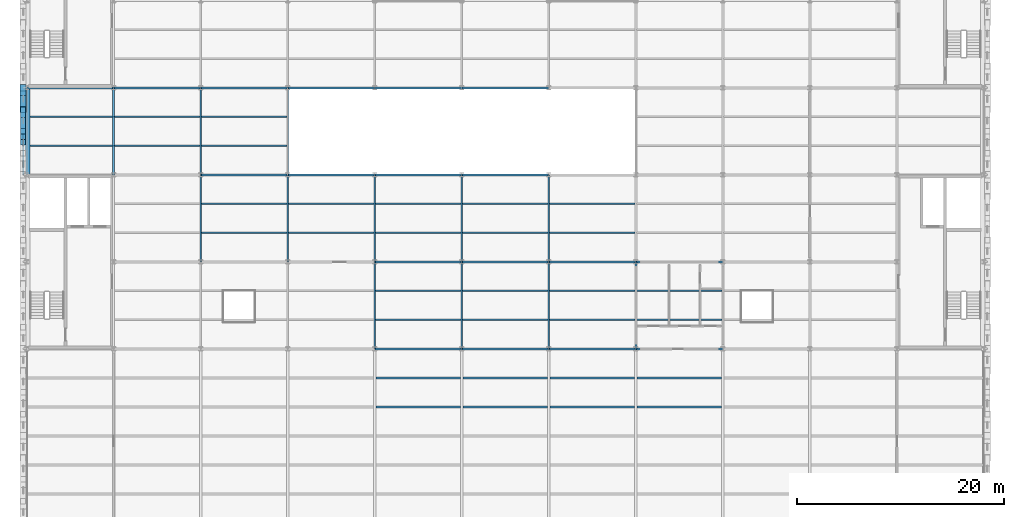
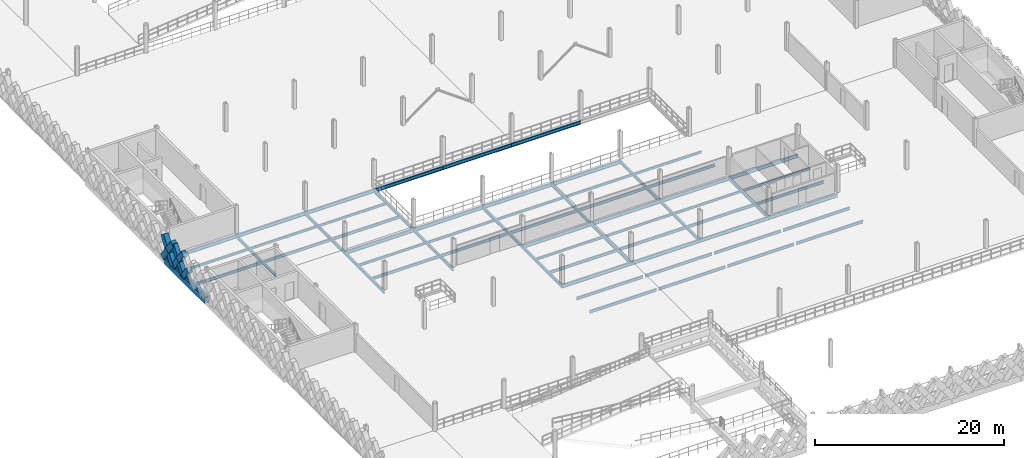
# One storey, part 22 of 79: 63 beams, 8 members.
"""IFC4 building model written with IfcOpenShell, lengths in metres."""

import ifcopenshell
import ifcopenshell.guid

model = None  # the IFC model being written
_history = None  # IfcOwnerHistory: only IFC2X3 demands one
_inside = {}  # id of a spatial element -> (the spatial element, [elements in it])
_under = {}  # id of a project, library or spatial element -> (it, [spatial elements below it])
_declared = {}  # id of a project -> (the project, [libraries it declares])
_typed = {}  # id of a type object -> (the type object, [elements of that type])
_made_of = {}  # id of a material, layer set ... -> (it, [elements and type objects made of it])


def new_model(schema):
    """Start an empty IFC model of exactly this schema.

    Asked for "IFC4X3", IfcOpenShell would pick the latest addendum, in which some entities
    have other attributes; the version numbers below select the first issue.
    IFC2X3 requires an IfcOwnerHistory on every rooted entity: one is made here for all.
    """
    global model, _history
    if schema == "IFC4X3":
        model = ifcopenshell.file(schema_version=(4, 3, 0, 0))
    else:
        model = ifcopenshell.file(schema=schema)
    _inside.clear()
    _under.clear()
    _declared.clear()
    _typed.clear()
    _made_of.clear()
    _history = None
    if model.schema == "IFC2X3":
        org = make("IfcOrganization", Name="unknown")
        user = make(
            "IfcPersonAndOrganization",
            ThePerson=make("IfcPerson", FamilyName="unknown"),
            TheOrganization=org,
        )
        app = make(
            "IfcApplication",
            ApplicationDeveloper=org,
            Version="unknown",
            ApplicationFullName="unknown",
            ApplicationIdentifier="unknown",
        )
        _history = make(
            "IfcOwnerHistory",
            OwningUser=user,
            OwningApplication=app,
            ChangeAction="ADDED",
            CreationDate=0,
        )
    return model


def make(cls, **values):
    """One entity of the class cls with the attributes given. An attribute that is None is left unset."""
    return model.create_entity(
        cls, **{name: value for name, value in values.items() if value is not None}
    )


def rooted(cls, **values):
    """An entity with a GlobalId (a new one), such as an element, a storey or a relation."""
    return make(cls, GlobalId=ifcopenshell.guid.new(), OwnerHistory=_history, **values)


def si_unit(unit_type, name, prefix=None):
    """IfcSIUnit, for example si_unit("LENGTHUNIT", "METRE", prefix="MILLI")."""
    return make("IfcSIUnit", UnitType=unit_type, Prefix=prefix, Name=name)


def assignment(units):
    """IfcUnitAssignment: the units of a project."""
    return None if units is None else make("IfcUnitAssignment", Units=units)


def point(xyz):
    """IfcCartesianPoint."""
    return None if xyz is None else make("IfcCartesianPoint", Coordinates=xyz)


def direction(xyz):
    """IfcDirection."""
    return None if xyz is None else make("IfcDirection", DirectionRatios=xyz)


def frame(location, z_axis=None, x_axis=None):
    """IfcAxis2Placement3D, a coordinate frame: its origin and axes. An axis left out is left unset."""
    return make(
        "IfcAxis2Placement3D",
        Location=point(location),
        Axis=direction(z_axis),
        RefDirection=direction(x_axis),
    )


def frame_2d(location, x_axis=None):
    """IfcAxis2Placement2D, a coordinate frame in the plane: its origin and x axis."""
    return make(
        "IfcAxis2Placement2D", Location=point(location), RefDirection=direction(x_axis)
    )


def origin():
    """The frame at (0, 0, 0) with its axes left unset."""
    return frame((0.0, 0.0, 0.0))


def origin_2d():
    """The frame at (0, 0) in the plane with its x axis left unset."""
    return frame_2d((0.0, 0.0))


def place(relative_to, where):
    """IfcLocalPlacement: puts the frame where relative to a parent placement (None: the world)."""
    return make(
        "IfcLocalPlacement", PlacementRelTo=relative_to, RelativePlacement=where
    )


def context(
    kind, dimensions, precision=None, world=None, true_north=None, identifier=None
):
    """IfcGeometricRepresentationContext, for example the 3D "Model" context."""
    return make(
        "IfcGeometricRepresentationContext",
        ContextIdentifier=identifier,
        ContextType=kind,
        CoordinateSpaceDimension=dimensions,
        Precision=precision,
        WorldCoordinateSystem=world,
        TrueNorth=true_north,
    )


def subcontext(parent, identifier, kind, view, scale=None):
    """IfcGeometricRepresentationSubContext, for example "Body" below "Model"."""
    return make(
        "IfcGeometricRepresentationSubContext",
        ContextIdentifier=identifier,
        ContextType=kind,
        ParentContext=parent,
        TargetScale=scale,
        TargetView=view,
    )


def project(units=None, contexts=None):
    """IfcProject with its units and contexts."""
    return rooted(
        "IfcProject",
        Name="project",
        RepresentationContexts=contexts,
        UnitsInContext=assignment(units),
    )


def spatial(cls, under=None, at=None, **own):
    """A site, building, storey or space (cls), placed at a placement, below another one or the project."""
    s = rooted(cls, ObjectPlacement=at, **own)
    if under is not None:
        _under.setdefault(under.id(), (under, []))[1].append(s)
    return s


def profile(cls, at=None, kind="AREA", **sizes):
    """A parametric profile (cls). Its sizes go by their IFC names, for example OverallWidth=200.0."""
    return make(cls, ProfileType=kind, Position=at, **sizes)


def rectangle(**sizes):
    """IfcRectangleProfileDef."""
    return profile("IfcRectangleProfileDef", **sizes)


def hollow_rectangle(**sizes):
    """IfcRectangleHollowProfileDef."""
    return profile("IfcRectangleHollowProfileDef", **sizes)


def i_section(**sizes):
    """IfcIShapeProfileDef."""
    return profile("IfcIShapeProfileDef", **sizes)


def extrude(swept, where, along, depth):
    """IfcExtrudedAreaSolid: the profile swept, set in the frame where, extruded along a direction by depth."""
    return make(
        "IfcExtrudedAreaSolid",
        SweptArea=swept,
        Position=where,
        ExtrudedDirection=direction(along),
        Depth=depth,
    )


def shape(context_of_items, identifier, shape_type, items):
    """IfcShapeRepresentation: the items that make up one representation, for example the "Body"."""
    return make(
        "IfcShapeRepresentation",
        ContextOfItems=context_of_items,
        RepresentationIdentifier=identifier,
        RepresentationType=shape_type,
        Items=items,
    )


def material(Name=None, Category=None):
    """IfcMaterial."""
    return make("IfcMaterial", Name=Name, Category=Category)


def material_profile(
    of_material, cross_section, Name=None, Category=None, Priority=None
):
    """IfcMaterialProfile: a cross section and its material."""
    return make(
        "IfcMaterialProfile",
        Name=Name,
        Material=of_material,
        Profile=cross_section,
        Priority=Priority,
        Category=Category,
    )


def profile_set(profiles, Name=None, composite=None):
    """IfcMaterialProfileSet."""
    return make(
        "IfcMaterialProfileSet",
        Name=Name,
        MaterialProfiles=profiles,
        CompositeProfile=composite,
    )


def made_of(thing, what):
    """Note that an element or type object is made of a material, layer set ...; save() writes the relation."""
    if what is not None:
        _made_of.setdefault(what.id(), (what, []))[1].append(thing)
    return thing


def type_object(cls, material=None, **own):
    """A type object (cls), such as IfcWallType, which elements share."""
    return made_of(rooted(cls, **own), material)


def element(
    cls,
    number,
    at=None,
    inside=None,
    cuts=None,
    type_object=None,
    material=None,
    context=None,
    identifier="Body",
    shape_type=None,
    held_by="IfcProductDefinitionShape",
    body=None,
    shapes=None,
    **own,
):
    """One element of the class cls, such as IfcWall. Its Tag is "e" and its number.

    at: its placement. inside: the storey or other place that contains it. cuts: it is an
    opening in that element (IfcRelVoidsElement). A single representation is given by context,
    identifier, shape_type and body (its items); several are given by shapes. held_by: the class
    of the entity that holds the representations. save() writes the other relations.
    """
    e = rooted(cls, Tag="e%d" % number, ObjectPlacement=at, **own)
    if body is not None:
        shapes = [shape(context, identifier, shape_type, body)]
    if shapes is not None:
        e.Representation = make(held_by, Representations=shapes)
    if inside is not None:
        _inside.setdefault(inside.id(), (inside, []))[1].append(e)
    if cuts is not None:
        rooted(
            "IfcRelVoidsElement", RelatingBuildingElement=cuts, RelatedOpeningElement=e
        )
    if type_object is not None:
        _typed.setdefault(type_object.id(), (type_object, []))[1].append(e)
    return made_of(e, material)


def aggregate(whole, parts):
    """IfcRelAggregates: a whole, such as a stair, and the parts it consists of."""
    return rooted("IfcRelAggregates", RelatingObject=whole, RelatedObjects=parts)


def save(model, path):
    """Write the relations noted so far, then the file.

    IfcRelAggregates (storeys below a building ...), IfcRelContainedInSpatialStructure (elements
    in a storey), IfcRelDefinesByType, IfcRelAssociatesMaterial and IfcRelDeclares: one each for
    every whole, place, type object, material and project.
    """
    for whole, parts in _under.values():
        aggregate(whole, parts)
    for where, things in _inside.values():
        rooted(
            "IfcRelContainedInSpatialStructure",
            RelatedElements=things,
            RelatingStructure=where,
        )
    for kind, things in _typed.values():
        rooted("IfcRelDefinesByType", RelatedObjects=things, RelatingType=kind)
    for what, things in _made_of.values():
        rooted("IfcRelAssociatesMaterial", RelatedObjects=things, RelatingMaterial=what)
    for by, libraries in _declared.values():
        rooted("IfcRelDeclares", RelatingContext=by, RelatedDefinitions=libraries)
    model.write(path)


model = new_model("IFC4")

# Units and contexts
model_context = context("Model", 3, precision=1e-05, world=origin(), true_north=direction((0.0, 1.0)))
body_context = subcontext(model_context, "Body", "Model", "MODEL_VIEW")
ifc_project = project(units=[si_unit("LENGTHUNIT", "METRE"), si_unit("AREAUNIT", "SQUARE_METRE"), si_unit("VOLUMEUNIT", "CUBIC_METRE"), si_unit("PLANEANGLEUNIT", "RADIAN"), si_unit("MASSUNIT", "GRAM", prefix="KILO"), si_unit("THERMODYNAMICTEMPERATUREUNIT", "KELVIN"), si_unit("POWERUNIT", "WATT")], contexts=[model_context])

# Site, building, storey
site_placement = place(None, origin())
site = spatial("IfcSite", under=ifc_project, at=site_placement, CompositionType="ELEMENT")
building_placement = place(site_placement, origin())
building = spatial("IfcBuilding", under=site, at=building_placement, Name="Tembeka Court Mobility Hub", CompositionType="ELEMENT")
storey_placement = place(building_placement, frame((0.0, 0.0, 9.0)))
storey = spatial("IfcBuildingStorey", under=building, at=storey_placement, Name="L02", CompositionType="ELEMENT", Elevation=9.0)

# Beams
ifc_material_1 = material(Name="Steel S355", Category="steel")
ifc_material_profile_1 = material_profile(ifc_material_1, i_section(OverallWidth=0.18994140625, OverallDepth=0.45703125, WebThickness=0.009033203125, FlangeThickness=0.014404296875, FilletRadius=0.01025390625, at=origin_2d()), Name="UKB 457x191x74")
ifc_profile_set_1 = profile_set([ifc_material_profile_1], Name="Steel S355")
beam_type_1 = type_object("IfcBeamType", Name="BM-B01", PredefinedType="BEAM", material=ifc_profile_set_1)
for number, where, z_axis, x_axis, name in (
    (1, (33.60009765625, 38.39990234375, -0.448486328125), (1.0, 0.0, 0.0), (0.0, 1.0, 0.0), "Beam B01 (BM-L02-X1213)"),
    (2, (42.0, 38.39990234375, -0.448486328125), (1.0, 0.0, 0.0), (0.0, 1.0, 0.0), "Beam B01 (BM-L02-X1214)"),
):
    element("IfcBeam", number, at=place(storey_placement, frame(where, z_axis=z_axis, x_axis=x_axis)), inside=storey, type_object=beam_type_1, Name=name, PredefinedType="BEAM", context=body_context, shape_type="SweptSolid", body=[
        extrude(i_section(OverallWidth=0.18994140625, OverallDepth=0.45703125, WebThickness=0.009033203125, FlangeThickness=0.014404296875, FilletRadius=0.01025390625, at=origin_2d()), origin(), (0.0, 0.0, 1.0), 8.39990234375),
    ])
beam_1_placement = place(storey_placement, frame((50.39990234375, 38.39990234375, -0.448486328125), z_axis=(1.0, 0.0, 0.0), x_axis=(0.0, 1.0, 0.0)))
element("IfcBeam", 3, at=beam_1_placement, inside=storey, type_object=beam_type_1, Name="Beam B01 (BM-L02-X1215)", PredefinedType="BEAM", context=body_context, shape_type="SweptSolid", body=[
    extrude(i_section(OverallWidth=0.18994140625, OverallDepth=0.45703125, WebThickness=0.009033203125, FlangeThickness=0.014404296875, FilletRadius=0.01025390625, at=origin_2d()), origin(), (0.0, 0.0, 1.0), 8.400146484375),
])
for number, where, z_axis, x_axis, name in (
    (4, (58.800048828125, 38.39990234375, -0.448486328125), (1.0, 0.0, 0.0), (0.0, 1.0, 0.0), "Beam B01 (BM-L02-X1216)"),
    (5, (33.60009765625, 46.800048828125, -0.448486328125), (1.0, 0.0, 0.0), (0.0, 1.0, 0.0), "Beam B01 (BM-L02-X1228)"),
    (6, (42.0, 46.800048828125, -0.448486328125), (1.0, 0.0, 0.0), (0.0, 1.0, 0.0), "Beam B01 (BM-L02-X1229)"),
):
    element("IfcBeam", number, at=place(storey_placement, frame(where, z_axis=z_axis, x_axis=x_axis)), inside=storey, type_object=beam_type_1, Name=name, PredefinedType="BEAM", context=body_context, shape_type="SweptSolid", body=[
        extrude(i_section(OverallWidth=0.18994140625, OverallDepth=0.45703125, WebThickness=0.009033203125, FlangeThickness=0.014404296875, FilletRadius=0.01025390625, at=origin_2d()), origin(), (0.0, 0.0, 1.0), 8.39990234375),
    ])
beam_2_placement = place(storey_placement, frame((50.39990234375, 46.800048828125, -0.448486328125), z_axis=(1.0, 0.0, 0.0), x_axis=(0.0, 1.0, 0.0)))
element("IfcBeam", 7, at=beam_2_placement, inside=storey, type_object=beam_type_1, Name="Beam B01 (BM-L02-X1230)", PredefinedType="BEAM", context=body_context, shape_type="SweptSolid", body=[
    extrude(i_section(OverallWidth=0.18994140625, OverallDepth=0.45703125, WebThickness=0.009033203125, FlangeThickness=0.014404296875, FilletRadius=0.01025390625, at=origin_2d()), origin(), (0.0, 0.0, 1.0), 8.400146484375),
])
for number, where, z_axis, x_axis, name in (
    (8, (58.800048828125, 46.800048828125, -0.448486328125), (1.0, 0.0, 0.0), (0.0, 1.0, 0.0), "Beam B01 (BM-L02-X1231)"),
    (9, (16.800048828125, 55.199951171875, -0.448486328125), (1.0, 0.0, 0.0), (0.0, 1.0, 0.0), "Beam B01 (BM-L02-X1241)"),
):
    element("IfcBeam", number, at=place(storey_placement, frame(where, z_axis=z_axis, x_axis=x_axis)), inside=storey, type_object=beam_type_1, Name=name, PredefinedType="BEAM", context=body_context, shape_type="SweptSolid", body=[
        extrude(i_section(OverallWidth=0.18994140625, OverallDepth=0.45703125, WebThickness=0.009033203125, FlangeThickness=0.014404296875, FilletRadius=0.01025390625, at=origin_2d()), origin(), (0.0, 0.0, 1.0), 8.39990234375),
    ])
beam_3_placement = place(storey_placement, frame((25.199951171875, 55.199951171875, -0.448486328125), z_axis=(1.0, 0.0, 0.0), x_axis=(0.0, 1.0, 0.0)))
element("IfcBeam", 10, at=beam_3_placement, inside=storey, type_object=beam_type_1, Name="Beam B01 (BM-L02-X1242)", PredefinedType="BEAM", context=body_context, shape_type="SweptSolid", body=[
    extrude(i_section(OverallWidth=0.18994140625, OverallDepth=0.45703125, WebThickness=0.009033203125, FlangeThickness=0.014404296875, FilletRadius=0.01025390625, at=origin_2d()), origin(), (0.0, 0.0, 1.0), 8.400146484375),
])
for number, where, z_axis, x_axis, name in (
    (11, (33.60009765625, 55.199951171875, -0.448486328125), (1.0, 0.0, 0.0), (0.0, 1.0, 0.0), "Beam B01 (BM-L02-X1243)"),
    (12, (42.0, 55.199951171875, -0.448486328125), (1.0, 0.0, 0.0), (0.0, 1.0, 0.0), "Beam B01 (BM-L02-X1244)"),
    (13, (0.0, 63.60009765625, -0.448486328125), (1.0, 0.0, 0.0), (0.0, 1.0, 0.0), "Beam B01 (BM-L02-X1251)"),
):
    element("IfcBeam", number, at=place(storey_placement, frame(where, z_axis=z_axis, x_axis=x_axis)), inside=storey, type_object=beam_type_1, Name=name, PredefinedType="BEAM", context=body_context, shape_type="SweptSolid", body=[
        extrude(i_section(OverallWidth=0.18994140625, OverallDepth=0.45703125, WebThickness=0.009033203125, FlangeThickness=0.014404296875, FilletRadius=0.01025390625, at=origin_2d()), origin(), (0.0, 0.0, 1.0), 8.39990234375),
    ])
beam_4_placement = place(storey_placement, frame((8.39990234375, 63.60009765625, -0.448486328125), z_axis=(1.0, 0.0, 0.0), x_axis=(0.0, 1.0, 0.0)))
element("IfcBeam", 14, at=beam_4_placement, inside=storey, type_object=beam_type_1, Name="Beam B01 (BM-L02-X1252)", PredefinedType="BEAM", context=body_context, shape_type="SweptSolid", body=[
    extrude(i_section(OverallWidth=0.18994140625, OverallDepth=0.45703125, WebThickness=0.009033203125, FlangeThickness=0.014404296875, FilletRadius=0.01025390625, at=origin_2d()), origin(), (0.0, 0.0, 1.0), 8.400146484375),
])
beam_5_placement = place(storey_placement, frame((16.800048828125, 63.60009765625, -0.448486328125), z_axis=(1.0, 0.0, 0.0), x_axis=(0.0, 1.0, 0.0)))
element("IfcBeam", 15, at=beam_5_placement, inside=storey, type_object=beam_type_1, Name="Beam B01 (BM-L02-X1253)", PredefinedType="BEAM", context=body_context, shape_type="SweptSolid", body=[
    extrude(i_section(OverallWidth=0.18994140625, OverallDepth=0.45703125, WebThickness=0.009033203125, FlangeThickness=0.014404296875, FilletRadius=0.01025390625, at=origin_2d()), origin(), (0.0, 0.0, 1.0), 8.39990234375),
])
beam_6_placement = place(storey_placement, frame((25.199951171875, 63.60009765625, -0.448486328125), z_axis=(1.0, 0.0, 0.0), x_axis=(0.0, 1.0, 0.0)))
element("IfcBeam", 16, at=beam_6_placement, inside=storey, type_object=beam_type_1, Name="Beam B01 (BM-L02-X1254)", PredefinedType="BEAM", context=body_context, shape_type="SweptSolid", body=[
    extrude(i_section(OverallWidth=0.18994140625, OverallDepth=0.45703125, WebThickness=0.009033203125, FlangeThickness=0.014404296875, FilletRadius=0.01025390625, at=origin_2d()), origin(), (0.0, 0.0, 1.0), 8.400146484375),
])
for number, where, z_axis, x_axis, name in (
    (17, (33.60009765625, 63.60009765625, -0.448486328125), (1.0, 0.0, 0.0), (0.0, 1.0, 0.0), "Beam B01 (BM-L02-X1255)"),
    (18, (42.0, 63.60009765625, -0.448486328125), (1.0, 0.0, 0.0), (0.0, 1.0, 0.0), "Beam B01 (BM-L02-X1256)"),
):
    element("IfcBeam", number, at=place(storey_placement, frame(where, z_axis=z_axis, x_axis=x_axis)), inside=storey, type_object=beam_type_1, Name=name, PredefinedType="BEAM", context=body_context, shape_type="SweptSolid", body=[
        extrude(i_section(OverallWidth=0.18994140625, OverallDepth=0.45703125, WebThickness=0.009033203125, FlangeThickness=0.014404296875, FilletRadius=0.01025390625, at=origin_2d()), origin(), (0.0, 0.0, 1.0), 8.39990234375),
    ])
ifc_material_profile_2 = material_profile(ifc_material_1, i_section(OverallWidth=0.177978515625, OverallDepth=0.406005859375, WebThickness=0.0078125, FlangeThickness=0.0126953125, FilletRadius=0.01025390625, at=origin_2d()), Name="UKB 406x178x60")
ifc_profile_set_2 = profile_set([ifc_material_profile_2], Name="Steel S355")
beam_type_2 = type_object("IfcBeamType", Name="BM-B02", PredefinedType="BEAM", material=ifc_profile_set_2)
beam_7_placement = place(storey_placement, frame((8.39990234375, 55.199951171875, -0.423095703125), z_axis=(0.0, 1.0, 0.0), x_axis=(-1.0, 0.0, 0.0)))
element("IfcBeam", 19, at=beam_7_placement, inside=storey, type_object=beam_type_2, Name="Beam B02 (BM-L02-Y1323)", PredefinedType="BEAM", context=body_context, shape_type="SweptSolid", body=[
    extrude(i_section(OverallWidth=0.177978515625, OverallDepth=0.406005859375, WebThickness=0.0078125, FlangeThickness=0.0126953125, FilletRadius=0.01025390625, at=origin_2d()), origin(), (0.0, 0.0, 1.0), 8.400146484375),
])
beam_8_placement = place(storey_placement, frame((16.800048828125, 46.800048828125, -0.423095703125), z_axis=(0.0, 1.0, 0.0), x_axis=(-1.0, 0.0, 0.0)))
element("IfcBeam", 20, at=beam_8_placement, inside=storey, type_object=beam_type_2, Name="Beam B02 (BM-L02-Y1333)", PredefinedType="BEAM", context=body_context, shape_type="SweptSolid", body=[
    extrude(i_section(OverallWidth=0.177978515625, OverallDepth=0.406005859375, WebThickness=0.0078125, FlangeThickness=0.0126953125, FilletRadius=0.01025390625, at=origin_2d()), origin(), (0.0, 0.0, 1.0), 8.39990234375),
])
beam_9_placement = place(storey_placement, frame((16.800048828125, 55.199951171875, -0.423095703125), z_axis=(0.0, 1.0, 0.0), x_axis=(-1.0, 0.0, 0.0)))
element("IfcBeam", 21, at=beam_9_placement, inside=storey, type_object=beam_type_2, Name="Beam B02 (BM-L02-Y1334)", PredefinedType="BEAM", context=body_context, shape_type="SweptSolid", body=[
    extrude(i_section(OverallWidth=0.177978515625, OverallDepth=0.406005859375, WebThickness=0.0078125, FlangeThickness=0.0126953125, FilletRadius=0.01025390625, at=origin_2d()), origin(), (0.0, 0.0, 1.0), 8.400146484375),
])
beam_10_placement = place(storey_placement, frame((25.199951171875, 46.800048828125, -0.423095703125), z_axis=(0.0, 1.0, 0.0), x_axis=(-1.0, 0.0, 0.0)))
element("IfcBeam", 22, at=beam_10_placement, inside=storey, type_object=beam_type_2, Name="Beam B02 (BM-L02-Y1342)", PredefinedType="BEAM", context=body_context, shape_type="SweptSolid", body=[
    extrude(i_section(OverallWidth=0.177978515625, OverallDepth=0.406005859375, WebThickness=0.0078125, FlangeThickness=0.0126953125, FilletRadius=0.01025390625, at=origin_2d()), origin(), (0.0, 0.0, 1.0), 8.39990234375),
])
for number, where, z_axis, x_axis, name in (
    (23, (25.199951171875, 55.199951171875, -0.423095703125), (0.0, 1.0, 0.0), (-1.0, 0.0, 0.0), "Beam B02 (BM-L02-Y1343)"),
    (24, (33.60009765625, 38.39990234375, -0.423095703125), (0.0, 1.0, 0.0), (-1.0, 0.0, 0.0), "Beam B02 (BM-L02-Y1348)"),
):
    element("IfcBeam", number, at=place(storey_placement, frame(where, z_axis=z_axis, x_axis=x_axis)), inside=storey, type_object=beam_type_2, Name=name, PredefinedType="BEAM", context=body_context, shape_type="SweptSolid", body=[
        extrude(i_section(OverallWidth=0.177978515625, OverallDepth=0.406005859375, WebThickness=0.0078125, FlangeThickness=0.0126953125, FilletRadius=0.01025390625, at=origin_2d()), origin(), (0.0, 0.0, 1.0), 8.400146484375),
    ])
beam_11_placement = place(storey_placement, frame((33.60009765625, 46.800048828125, -0.423095703125), z_axis=(0.0, 1.0, 0.0), x_axis=(-1.0, 0.0, 0.0)))
element("IfcBeam", 25, at=beam_11_placement, inside=storey, type_object=beam_type_2, Name="Beam B02 (BM-L02-Y1349)", PredefinedType="BEAM", context=body_context, shape_type="SweptSolid", body=[
    extrude(i_section(OverallWidth=0.177978515625, OverallDepth=0.406005859375, WebThickness=0.0078125, FlangeThickness=0.0126953125, FilletRadius=0.01025390625, at=origin_2d()), origin(), (0.0, 0.0, 1.0), 8.39990234375),
])
beam_12_placement = place(storey_placement, frame((42.0, 38.39990234375, -0.423095703125), z_axis=(0.0, 1.0, 0.0), x_axis=(-1.0, 0.0, 0.0)))
element("IfcBeam", 26, at=beam_12_placement, inside=storey, type_object=beam_type_2, Name="Beam B02 (BM-L02-Y1356)", PredefinedType="BEAM", context=body_context, shape_type="SweptSolid", body=[
    extrude(i_section(OverallWidth=0.177978515625, OverallDepth=0.406005859375, WebThickness=0.0078125, FlangeThickness=0.0126953125, FilletRadius=0.01025390625, at=origin_2d()), origin(), (0.0, 0.0, 1.0), 8.400146484375),
])
beam_13_placement = place(storey_placement, frame((42.0, 46.800048828125, -0.423095703125), z_axis=(0.0, 1.0, 0.0), x_axis=(-1.0, 0.0, 0.0)))
element("IfcBeam", 27, at=beam_13_placement, inside=storey, type_object=beam_type_2, Name="Beam B02 (BM-L02-Y1357)", PredefinedType="BEAM", context=body_context, shape_type="SweptSolid", body=[
    extrude(i_section(OverallWidth=0.177978515625, OverallDepth=0.406005859375, WebThickness=0.0078125, FlangeThickness=0.0126953125, FilletRadius=0.01025390625, at=origin_2d()), origin(), (0.0, 0.0, 1.0), 8.39990234375),
])
beam_14_placement = place(storey_placement, frame((50.39990234375, 38.39990234375, -0.423095703125), z_axis=(0.0, 1.0, 0.0), x_axis=(-1.0, 0.0, 0.0)))
element("IfcBeam", 28, at=beam_14_placement, inside=storey, type_object=beam_type_2, Name="Beam B02 (BM-L02-Y1364)", PredefinedType="BEAM", context=body_context, shape_type="SweptSolid", body=[
    extrude(i_section(OverallWidth=0.177978515625, OverallDepth=0.406005859375, WebThickness=0.0078125, FlangeThickness=0.0126953125, FilletRadius=0.01025390625, at=origin_2d()), origin(), (0.0, 0.0, 1.0), 8.400146484375),
])
beam_15_placement = place(storey_placement, frame((50.39990234375, 46.800048828125, -0.423095703125), z_axis=(0.0, 1.0, 0.0), x_axis=(-1.0, 0.0, 0.0)))
element("IfcBeam", 29, at=beam_15_placement, inside=storey, type_object=beam_type_2, Name="Beam B02 (BM-L02-Y1365)", PredefinedType="BEAM", context=body_context, shape_type="SweptSolid", body=[
    extrude(i_section(OverallWidth=0.177978515625, OverallDepth=0.406005859375, WebThickness=0.0078125, FlangeThickness=0.0126953125, FilletRadius=0.01025390625, at=origin_2d()), origin(), (0.0, 0.0, 1.0), 8.39990234375),
])
beam_16_placement = place(storey_placement, frame((58.800048828125, 38.39990234375, -0.423095703125), z_axis=(0.0, 1.0, 0.0), x_axis=(-1.0, 0.0, 0.0)))
element("IfcBeam", 30, at=beam_16_placement, inside=storey, type_object=beam_type_2, Name="Beam B02 (BM-L02-Y1370)", PredefinedType="BEAM", context=body_context, shape_type="SweptSolid", body=[
    extrude(i_section(OverallWidth=0.177978515625, OverallDepth=0.406005859375, WebThickness=0.0078125, FlangeThickness=0.0126953125, FilletRadius=0.01025390625, at=origin_2d()), origin(), (0.0, 0.0, 1.0), 8.400146484375),
])
ifc_material_profile_3 = material_profile(ifc_material_1, i_section(OverallWidth=0.172119140625, OverallDepth=0.35498046875, WebThickness=0.00732421875, FlangeThickness=0.011474609375, FilletRadius=0.01025390625, at=origin_2d()), Name="UKB 356x171x51")
ifc_profile_set_3 = profile_set([ifc_material_profile_3], Name="Steel S355")
beam_type_3 = type_object("IfcBeamType", Name="BM-J01", PredefinedType="JOIST", material=ifc_profile_set_3)
for number, where, z_axis, x_axis, name in (
    (31, (33.721923828125, 32.800048828125, -0.3974609375), (1.0, 0.0, 0.0), (0.0, 1.0, 0.0), "Beam J01 (JST-L02-1512)"),
    (32, (33.721923828125, 35.60009765625, -0.3974609375), (1.0, 0.0, 0.0), (0.0, 1.0, 0.0), "Beam J01 (JST-L02-1513)"),
    (33, (42.1220703125, 32.800048828125, -0.3974609375), (1.0, 0.0, 0.0), (0.0, 1.0, 0.0), "Beam J01 (JST-L02-1530)"),
    (34, (42.1220703125, 35.60009765625, -0.3974609375), (1.0, 0.0, 0.0), (0.0, 1.0, 0.0), "Beam J01 (JST-L02-1531)"),
    (35, (50.52197265625, 32.800048828125, -0.3974609375), (1.0, 0.0, 0.0), (0.0, 1.0, 0.0), "Beam J01 (JST-L02-1548)"),
    (36, (50.52197265625, 35.60009765625, -0.3974609375), (1.0, 0.0, 0.0), (0.0, 1.0, 0.0), "Beam J01 (JST-L02-1549)"),
):
    element("IfcBeam", number, at=place(storey_placement, frame(where, z_axis=z_axis, x_axis=x_axis)), inside=storey, type_object=beam_type_3, Name=name, PredefinedType="JOIST", context=body_context, shape_type="SweptSolid", body=[
        extrude(i_section(OverallWidth=0.172119140625, OverallDepth=0.35498046875, WebThickness=0.00732421875, FlangeThickness=0.011474609375, FilletRadius=0.01025390625, at=origin_2d()), origin(), (0.0, 0.0, 1.0), 8.156005859375),
    ])
for number, where, z_axis, x_axis, name in (
    (37, (58.922119140625, 32.800048828125, -0.3974609375), (1.0, 0.0, 0.0), (0.0, 1.0, 0.0), "Beam J01 (JST-L02-1566)"),
    (38, (58.922119140625, 35.60009765625, -0.3974609375), (1.0, 0.0, 0.0), (0.0, 1.0, 0.0), "Beam J01 (JST-L02-1567)"),
):
    element("IfcBeam", number, at=place(storey_placement, frame(where, z_axis=z_axis, x_axis=x_axis)), inside=storey, type_object=beam_type_3, Name=name, PredefinedType="JOIST", context=body_context, shape_type="SweptSolid", body=[
        extrude(i_section(OverallWidth=0.172119140625, OverallDepth=0.35498046875, WebThickness=0.00732421875, FlangeThickness=0.011474609375, FilletRadius=0.01025390625, at=origin_2d()), origin(), (0.0, 0.0, 1.0), 8.15576171875),
    ])
ifc_material_profile_4 = material_profile(ifc_material_1, i_section(OverallWidth=0.1650390625, OverallDepth=0.303955078125, WebThickness=0.006103515625, FlangeThickness=0.01025390625, FilletRadius=0.0087890625, at=origin_2d()), Name="UKB 305x165x40")
ifc_profile_set_4 = profile_set([ifc_material_profile_4], Name="Steel S355")
beam_type_4 = type_object("IfcBeamType", Name="BM-J02", PredefinedType="JOIST", material=ifc_profile_set_4)
beam_17_placement = place(storey_placement, frame((0.320068359375, 60.800048828125, -0.3720703125), z_axis=(1.0, 0.0, 0.0), x_axis=(0.0, 1.0, 0.0)))
element("IfcBeam", 39, at=beam_17_placement, inside=storey, type_object=beam_type_4, Name="Beam J02 (JST-L02-1445)", PredefinedType="JOIST", context=body_context, shape_type="SweptSolid", body=[
    extrude(i_section(OverallWidth=0.1650390625, OverallDepth=0.303955078125, WebThickness=0.006103515625, FlangeThickness=0.01025390625, FilletRadius=0.0087890625, at=origin_2d()), origin(), (0.0, 0.0, 1.0), 7.995849609375),
])
beam_18_placement = place(storey_placement, frame((8.48388671875, 60.800048828125, -0.3720703125), z_axis=(1.0, 0.0, 0.0), x_axis=(0.0, 1.0, 0.0)))
element("IfcBeam", 40, at=beam_18_placement, inside=storey, type_object=beam_type_4, Name="Beam J02 (JST-L02-1461)", PredefinedType="JOIST", context=body_context, shape_type="SweptSolid", body=[
    extrude(i_section(OverallWidth=0.1650390625, OverallDepth=0.303955078125, WebThickness=0.006103515625, FlangeThickness=0.01025390625, FilletRadius=0.0087890625, at=origin_2d()), origin(), (0.0, 0.0, 1.0), 8.232177734375),
])
for number, where, z_axis, x_axis, name in (
    (41, (16.884033203125, 52.39990234375, -0.3720703125), (1.0, 0.0, 0.0), (0.0, 1.0, 0.0), "Beam J02 (JST-L02-1479)"),
    (42, (16.884033203125, 60.800048828125, -0.3720703125), (1.0, 0.0, 0.0), (0.0, 1.0, 0.0), "Beam J02 (JST-L02-1481)"),
):
    element("IfcBeam", number, at=place(storey_placement, frame(where, z_axis=z_axis, x_axis=x_axis)), inside=storey, type_object=beam_type_4, Name=name, PredefinedType="JOIST", context=body_context, shape_type="SweptSolid", body=[
        extrude(i_section(OverallWidth=0.1650390625, OverallDepth=0.303955078125, WebThickness=0.006103515625, FlangeThickness=0.01025390625, FilletRadius=0.0087890625, at=origin_2d()), origin(), (0.0, 0.0, 1.0), 8.23193359375),
    ])
beam_19_placement = place(storey_placement, frame((25.283935546875, 52.39990234375, -0.3720703125), z_axis=(1.0, 0.0, 0.0), x_axis=(0.0, 1.0, 0.0)))
element("IfcBeam", 43, at=beam_19_placement, inside=storey, type_object=beam_type_4, Name="Beam J02 (JST-L02-1499)", PredefinedType="JOIST", context=body_context, shape_type="SweptSolid", body=[
    extrude(i_section(OverallWidth=0.1650390625, OverallDepth=0.303955078125, WebThickness=0.006103515625, FlangeThickness=0.01025390625, FilletRadius=0.0087890625, at=origin_2d()), origin(), (0.0, 0.0, 1.0), 8.232177734375),
])
for number, where, z_axis, x_axis, name in (
    (44, (33.68408203125, 44.0, -0.3720703125), (1.0, 0.0, 0.0), (0.0, 1.0, 0.0), "Beam J02 (JST-L02-1515)"),
    (45, (33.68408203125, 52.39990234375, -0.3720703125), (1.0, 0.0, 0.0), (0.0, 1.0, 0.0), "Beam J02 (JST-L02-1517)"),
    (46, (42.083984375, 44.0, -0.3720703125), (1.0, 0.0, 0.0), (0.0, 1.0, 0.0), "Beam J02 (JST-L02-1533)"),
    (47, (42.083984375, 52.39990234375, -0.3720703125), (1.0, 0.0, 0.0), (0.0, 1.0, 0.0), "Beam J02 (JST-L02-1535)"),
):
    element("IfcBeam", number, at=place(storey_placement, frame(where, z_axis=z_axis, x_axis=x_axis)), inside=storey, type_object=beam_type_4, Name=name, PredefinedType="JOIST", context=body_context, shape_type="SweptSolid", body=[
        extrude(i_section(OverallWidth=0.1650390625, OverallDepth=0.303955078125, WebThickness=0.006103515625, FlangeThickness=0.01025390625, FilletRadius=0.0087890625, at=origin_2d()), origin(), (0.0, 0.0, 1.0), 8.23193359375),
    ])
for number, where, z_axis, x_axis, name in (
    (48, (50.48388671875, 44.0, -0.3720703125), (1.0, 0.0, 0.0), (0.0, 1.0, 0.0), "Beam J02 (JST-L02-1551)"),
    (49, (50.48388671875, 52.39990234375, -0.3720703125), (1.0, 0.0, 0.0), (0.0, 1.0, 0.0), "Beam J02 (JST-L02-1553)"),
):
    element("IfcBeam", number, at=place(storey_placement, frame(where, z_axis=z_axis, x_axis=x_axis)), inside=storey, type_object=beam_type_4, Name=name, PredefinedType="JOIST", context=body_context, shape_type="SweptSolid", body=[
        extrude(i_section(OverallWidth=0.1650390625, OverallDepth=0.303955078125, WebThickness=0.006103515625, FlangeThickness=0.01025390625, FilletRadius=0.0087890625, at=origin_2d()), origin(), (0.0, 0.0, 1.0), 8.232177734375),
    ])
beam_20_placement = place(storey_placement, frame((58.884033203125, 44.0, -0.3720703125), z_axis=(1.0, 0.0, 0.0), x_axis=(0.0, 1.0, 0.0)))
element("IfcBeam", 50, at=beam_20_placement, inside=storey, type_object=beam_type_4, Name="Beam J02 (JST-L02-1569)", PredefinedType="JOIST", context=body_context, shape_type="SweptSolid", body=[
    extrude(i_section(OverallWidth=0.1650390625, OverallDepth=0.303955078125, WebThickness=0.006103515625, FlangeThickness=0.01025390625, FilletRadius=0.0087890625, at=origin_2d()), origin(), (0.0, 0.0, 1.0), 8.23193359375),
])
ifc_material_profile_5 = material_profile(ifc_material_1, i_section(OverallWidth=0.169921875, OverallDepth=0.360107421875, WebThickness=0.008056640625, FlangeThickness=0.0126953125, FilletRadius=0.01806640625, at=origin_2d()), Name="IPE 360")
ifc_profile_set_5 = profile_set([ifc_material_profile_5], Name="Steel S355")
beam_type_5 = type_object("IfcBeamType", Name="BM-J03", PredefinedType="JOIST", material=ifc_profile_set_5)
beam_21_placement = place(storey_placement, frame((0.320068359375, 58.0, -0.39990234375), z_axis=(1.0, 0.0, 0.0), x_axis=(0.0, 1.0, 0.0)))
element("IfcBeam", 51, at=beam_21_placement, inside=storey, type_object=beam_type_5, Name="Beam J03 (JST-L02-1444)", PredefinedType="JOIST", context=body_context, shape_type="SweptSolid", body=[
    extrude(i_section(OverallWidth=0.169921875, OverallDepth=0.360107421875, WebThickness=0.008056640625, FlangeThickness=0.0126953125, FilletRadius=0.01806640625, at=origin_2d()), origin(), (0.0, 0.0, 1.0), 7.995849609375),
])
beam_22_placement = place(storey_placement, frame((8.48388671875, 58.0, -0.39990234375), z_axis=(1.0, 0.0, 0.0), x_axis=(0.0, 1.0, 0.0)))
element("IfcBeam", 52, at=beam_22_placement, inside=storey, type_object=beam_type_5, Name="Beam J03 (JST-L02-1460)", PredefinedType="JOIST", context=body_context, shape_type="SweptSolid", body=[
    extrude(i_section(OverallWidth=0.169921875, OverallDepth=0.360107421875, WebThickness=0.008056640625, FlangeThickness=0.0126953125, FilletRadius=0.01806640625, at=origin_2d()), origin(), (0.0, 0.0, 1.0), 8.232177734375),
])
for number, where, z_axis, x_axis, name in (
    (53, (16.884033203125, 49.60009765625, -0.39990234375), (1.0, 0.0, 0.0), (0.0, 1.0, 0.0), "Beam J03 (JST-L02-1478)"),
    (54, (16.884033203125, 58.0, -0.39990234375), (1.0, 0.0, 0.0), (0.0, 1.0, 0.0), "Beam J03 (JST-L02-1480)"),
):
    element("IfcBeam", number, at=place(storey_placement, frame(where, z_axis=z_axis, x_axis=x_axis)), inside=storey, type_object=beam_type_5, Name=name, PredefinedType="JOIST", context=body_context, shape_type="SweptSolid", body=[
        extrude(i_section(OverallWidth=0.169921875, OverallDepth=0.360107421875, WebThickness=0.008056640625, FlangeThickness=0.0126953125, FilletRadius=0.01806640625, at=origin_2d()), origin(), (0.0, 0.0, 1.0), 8.23193359375),
    ])
beam_23_placement = place(storey_placement, frame((25.283935546875, 49.60009765625, -0.39990234375), z_axis=(1.0, 0.0, 0.0), x_axis=(0.0, 1.0, 0.0)))
element("IfcBeam", 55, at=beam_23_placement, inside=storey, type_object=beam_type_5, Name="Beam J03 (JST-L02-1498)", PredefinedType="JOIST", context=body_context, shape_type="SweptSolid", body=[
    extrude(i_section(OverallWidth=0.169921875, OverallDepth=0.360107421875, WebThickness=0.008056640625, FlangeThickness=0.0126953125, FilletRadius=0.01806640625, at=origin_2d()), origin(), (0.0, 0.0, 1.0), 8.232177734375),
])
for number, where, z_axis, x_axis, name in (
    (56, (33.68408203125, 41.199951171875, -0.39990234375), (1.0, 0.0, 0.0), (0.0, 1.0, 0.0), "Beam J03 (JST-L02-1514)"),
    (57, (33.68408203125, 49.60009765625, -0.39990234375), (1.0, 0.0, 0.0), (0.0, 1.0, 0.0), "Beam J03 (JST-L02-1516)"),
    (58, (42.083984375, 41.199951171875, -0.39990234375), (1.0, 0.0, 0.0), (0.0, 1.0, 0.0), "Beam J03 (JST-L02-1532)"),
    (59, (42.083984375, 49.60009765625, -0.39990234375), (1.0, 0.0, 0.0), (0.0, 1.0, 0.0), "Beam J03 (JST-L02-1534)"),
):
    element("IfcBeam", number, at=place(storey_placement, frame(where, z_axis=z_axis, x_axis=x_axis)), inside=storey, type_object=beam_type_5, Name=name, PredefinedType="JOIST", context=body_context, shape_type="SweptSolid", body=[
        extrude(i_section(OverallWidth=0.169921875, OverallDepth=0.360107421875, WebThickness=0.008056640625, FlangeThickness=0.0126953125, FilletRadius=0.01806640625, at=origin_2d()), origin(), (0.0, 0.0, 1.0), 8.23193359375),
    ])
for number, where, z_axis, x_axis, name in (
    (60, (50.48388671875, 41.199951171875, -0.39990234375), (1.0, 0.0, 0.0), (0.0, 1.0, 0.0), "Beam J03 (JST-L02-1550)"),
    (61, (50.48388671875, 49.60009765625, -0.39990234375), (1.0, 0.0, 0.0), (0.0, 1.0, 0.0), "Beam J03 (JST-L02-1552)"),
):
    element("IfcBeam", number, at=place(storey_placement, frame(where, z_axis=z_axis, x_axis=x_axis)), inside=storey, type_object=beam_type_5, Name=name, PredefinedType="JOIST", context=body_context, shape_type="SweptSolid", body=[
        extrude(i_section(OverallWidth=0.169921875, OverallDepth=0.360107421875, WebThickness=0.008056640625, FlangeThickness=0.0126953125, FilletRadius=0.01806640625, at=origin_2d()), origin(), (0.0, 0.0, 1.0), 8.232177734375),
    ])
beam_24_placement = place(storey_placement, frame((58.884033203125, 41.199951171875, -0.39990234375), z_axis=(1.0, 0.0, 0.0), x_axis=(0.0, 1.0, 0.0)))
element("IfcBeam", 62, at=beam_24_placement, inside=storey, type_object=beam_type_5, Name="Beam J03 (JST-L02-1568)", PredefinedType="JOIST", context=body_context, shape_type="SweptSolid", body=[
    extrude(i_section(OverallWidth=0.169921875, OverallDepth=0.360107421875, WebThickness=0.008056640625, FlangeThickness=0.0126953125, FilletRadius=0.01806640625, at=origin_2d()), origin(), (0.0, 0.0, 1.0), 8.23193359375),
])
ifc_material_2 = material(Name="Precast concrete C45/55", Category="concrete")
ifc_material_profile_6 = material_profile(ifc_material_2, rectangle(XDim=0.64990234375, YDim=0.800048828125, at=origin_2d()), Name="PC-SP 650x800")
ifc_profile_set_6 = profile_set([ifc_material_profile_6], Name="Precast concrete C45/55")
beam_type_6 = type_object("IfcBeamType", Name="BM-SP01", PredefinedType="SPANDREL", material=ifc_profile_set_6)
beam_25_placement = place(storey_placement, frame((0.0, 55.199951171875, -0.6201171875), z_axis=(0.0, 1.0, 0.0), x_axis=(-1.0, 0.0, 0.0)))
element("IfcBeam", 63, at=beam_25_placement, inside=storey, type_object=beam_type_6, Name="Beam SP01 (BM-L02-Y1312)", PredefinedType="SPANDREL", context=body_context, shape_type="SweptSolid", body=[
    extrude(rectangle(XDim=0.64990234375, YDim=0.800048828125, at=origin_2d()), origin(), (0.0, 0.0, 1.0), 8.400146484375),
])

# Members
ifc_material_profile_7 = material_profile(ifc_material_2, rectangle(XDim=0.5, YDim=0.64990234375, at=origin_2d()), Name="PC-DIAG 500x650")
ifc_profile_set_7 = profile_set([ifc_material_profile_7], Name="Precast concrete C45/55")
member_type_1 = type_object("IfcMemberType", Name="MEM-DL01", PredefinedType="BRACE", material=ifc_profile_set_7)
member_1_placement = place(storey_placement, frame((-0.340087890625, 59.39990234375, 0.02001953125), z_axis=(0.0, -0.582454804382, 0.812863088627), x_axis=(1.0, 0.0, 0.0)))
element("IfcMember", 64, at=member_1_placement, inside=storey, type_object=member_type_1, Name="Precast diamond lattice split lower strand DL01 (L02-304D1)", PredefinedType="BRACE", context=body_context, shape_type="SweptSolid", body=[
    extrude(rectangle(XDim=0.5, YDim=0.64990234375, at=origin_2d()), origin(), (0.0, 0.0, 1.0), 1.802490234375),
])
member_2_placement = place(storey_placement, frame((-0.340087890625, 59.39990234375, 0.02001953125), z_axis=(0.0, 0.582576362011, 0.812775973086), x_axis=(-1.0, 0.0, 0.0)))
element("IfcMember", 65, at=member_2_placement, inside=storey, type_object=member_type_1, Name="Precast diamond lattice continuous strand DL01 (L02-305C)", PredefinedType="BRACE", context=body_context, shape_type="SweptSolid", body=[
    extrude(rectangle(XDim=0.5, YDim=0.64990234375, at=origin_2d()), origin(), (0.0, 0.0, 1.0), 3.604736328125),
])
member_3_placement = place(storey_placement, frame((-0.340087890625, 61.5, 0.02001953125), z_axis=(0.0, -0.582544294934, 0.812798956963), x_axis=(1.0, 0.0, 0.0)))
element("IfcMember", 66, at=member_3_placement, inside=storey, type_object=member_type_1, Name="Precast diamond lattice split lower strand DL01 (L02-305D1)", PredefinedType="BRACE", context=body_context, shape_type="SweptSolid", body=[
    extrude(rectangle(XDim=0.5, YDim=0.64990234375, at=origin_2d()), origin(), (0.0, 0.0, 1.0), 1.802490234375),
])
member_4_placement = place(storey_placement, frame((-0.340087890625, 60.449951171875, 1.485107421875), z_axis=(0.0, -0.582608431711, 0.812752985414), x_axis=(1.0, 0.0, 0.0)))
element("IfcMember", 67, at=member_4_placement, inside=storey, type_object=member_type_1, Name="Precast diamond lattice split upper strand DL01 (L02-305D2)", PredefinedType="BRACE", context=body_context, shape_type="SweptSolid", body=[
    extrude(rectangle(XDim=0.5, YDim=0.64990234375, at=origin_2d()), origin(), (0.0, 0.0, 1.0), 1.80224609375),
])
ifc_material_profile_8 = material_profile(ifc_material_2, rectangle(XDim=0.60009765625, YDim=0.75, at=origin_2d()), Name="PC-DIAG 600x750")
ifc_profile_set_8 = profile_set([ifc_material_profile_8], Name="Precast concrete C45/55")
member_type_2 = type_object("IfcMemberType", Name="MEM-DL02", PredefinedType="BRACE", material=ifc_profile_set_8)
member_5_placement = place(storey_placement, frame((-0.340087890625, 61.5, 0.02001953125), z_axis=(0.0, 0.582576362011, 0.812775973086), x_axis=(-1.0, 0.0, 0.0)))
element("IfcMember", 68, at=member_5_placement, inside=storey, type_object=member_type_2, Name="Precast diamond lattice continuous strand DL02 (L02-306C)", PredefinedType="BRACE", context=body_context, shape_type="SweptSolid", body=[
    extrude(rectangle(XDim=0.60009765625, YDim=0.75, at=origin_2d()), origin(), (0.0, 0.0, 1.0), 3.604736328125),
])
member_6_placement = place(storey_placement, frame((-0.340087890625, 63.60009765625, 0.02001953125), z_axis=(0.0, -0.582544294934, 0.812798956963), x_axis=(1.0, 0.0, 0.0)))
element("IfcMember", 69, at=member_6_placement, inside=storey, type_object=member_type_2, Name="Precast diamond lattice split lower strand DL02 (L02-306D1)", PredefinedType="BRACE", context=body_context, shape_type="SweptSolid", body=[
    extrude(rectangle(XDim=0.60009765625, YDim=0.75, at=origin_2d()), origin(), (0.0, 0.0, 1.0), 1.802490234375),
])
member_7_placement = place(storey_placement, frame((-0.340087890625, 62.550048828125, 1.485107421875), z_axis=(0.0, -0.582608431711, 0.812752985414), x_axis=(1.0, 0.0, 0.0)))
element("IfcMember", 70, at=member_7_placement, inside=storey, type_object=member_type_2, Name="Precast diamond lattice split upper strand DL02 (L02-306D2)", PredefinedType="BRACE", context=body_context, shape_type="SweptSolid", body=[
    extrude(rectangle(XDim=0.60009765625, YDim=0.75, at=origin_2d()), origin(), (0.0, 0.0, 1.0), 1.80224609375),
])
ifc_material_profile_9 = material_profile(ifc_material_1, hollow_rectangle(XDim=0.14990234375, YDim=0.300048828125, WallThickness=0.010009765625, at=origin_2d()), Name="RHS 300x150x10")
ifc_profile_set_9 = profile_set([ifc_material_profile_9], Name="Steel S355")
member_type_3 = type_object("IfcMemberType", Name="MEM-ST03", PredefinedType="STRUT", material=ifc_profile_set_9)
member_8_placement = place(storey_placement, frame((-0.340087890625, 55.199951171875, 0.02001953125), z_axis=(0.0, 1.0, 0.0), x_axis=(-1.0, 0.0, 0.0)))
element("IfcMember", 71, at=member_8_placement, inside=storey, type_object=member_type_3, Name="Proud lattice sill tie chord SR03 (L02-W-55)", PredefinedType="STRUT", context=body_context, shape_type="SweptSolid", body=[
    extrude(hollow_rectangle(XDim=0.14990234375, YDim=0.300048828125, WallThickness=0.010009765625, at=origin_2d()), origin(), (0.0, 0.0, 1.0), 8.400146484375),
])

save(model, "model.ifc")
